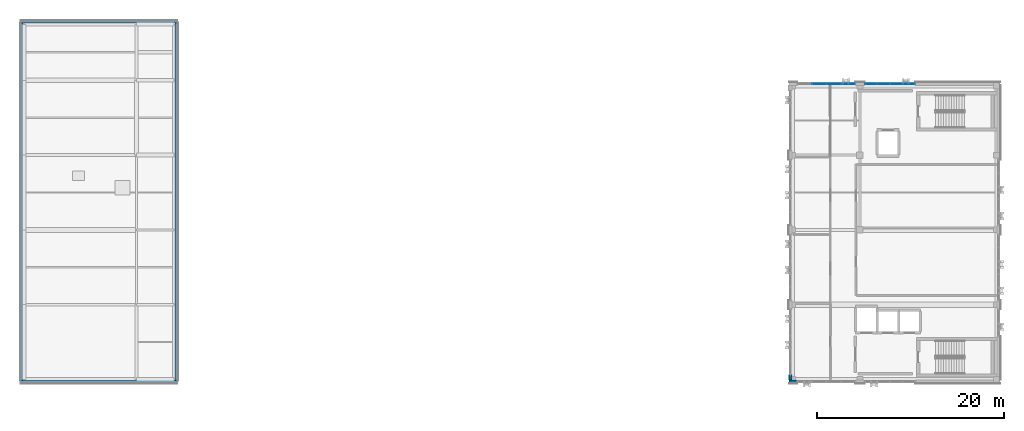
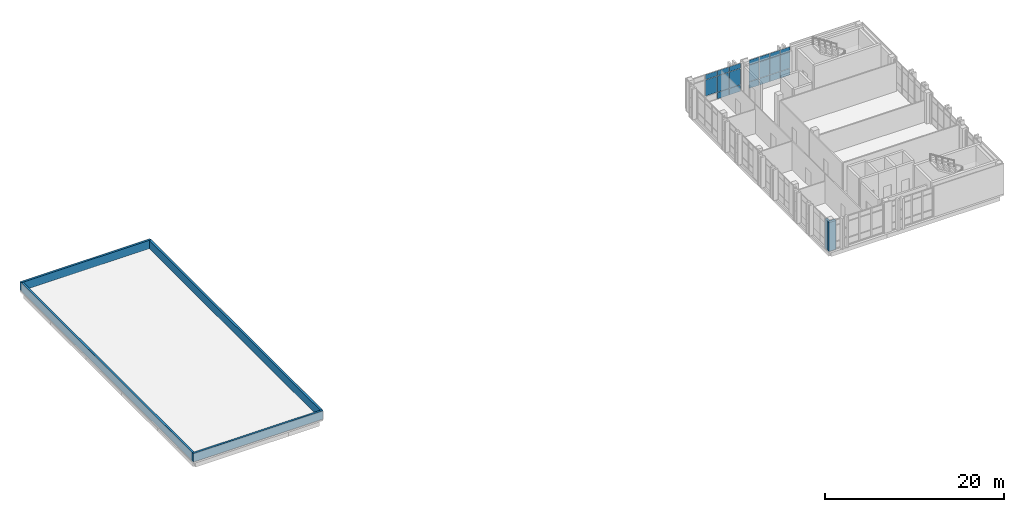
# One storey, part 16 of 22: 20 plates, 6 walls, 2 elements without a shape of their own.
"""IFC4 building model written with IfcOpenShell, lengths in metres."""

from ifc_helpers import new_model, si_unit, direction, frame, frame_2d, origin, origin_2d, place, context, subcontext, project, spatial, rectangle, extrude, material, layer, layer_set, type_object, element, aggregate, save


model = new_model("IFC4")

# Units and contexts
model_context = context("Model", 3, precision=1e-05, world=origin(), true_north=direction((0.0, 1.0)))
body_context = subcontext(model_context, "Body", "Model", "MODEL_VIEW")
ifc_project = project(units=[si_unit("LENGTHUNIT", "METRE"), si_unit("AREAUNIT", "SQUARE_METRE"), si_unit("VOLUMEUNIT", "CUBIC_METRE"), si_unit("PLANEANGLEUNIT", "RADIAN"), si_unit("MASSUNIT", "GRAM", prefix="KILO")], contexts=[model_context])

# Site, building, storey
site_placement = place(None, origin())
site = spatial("IfcSite", under=ifc_project, at=site_placement, CompositionType="ELEMENT")
building_placement = place(site_placement, origin())
building = spatial("IfcBuilding", under=site, at=building_placement, Name="Qalavern Law Courts", CompositionType="ELEMENT")
storey_placement = place(building_placement, frame((0.0, 0.0, 35.39990234375)))
storey = spatial("IfcBuildingStorey", under=building, at=storey_placement, Name="L08", CompositionType="ELEMENT", Elevation=35.39990234375)

# Curtain wall, plates
ifc_material_1 = material(Name="Anodised aluminium and insulated glazing", Category="aluminium")
ifc_layer_1 = layer(ifc_material_1, 0.159912109375)
ifc_layer_set_1 = layer_set([ifc_layer_1], Name="Anodised aluminium and insulated glazing")
curtain_wall_type = type_object("IfcCurtainWallType", Name="ENV-CW-CHAMB", PredefinedType="USERDEFINED", material=ifc_layer_set_1)
curtain_wall_1_placement = place(storey_placement, origin())
curtain_wall_1 = element("IfcCurtainWall", 1, at=curtain_wall_1_placement, inside=storey, type_object=curtain_wall_type, Name="V4 unitised curtain wall L08 north 1", ObjectType="UNITISED CURTAIN WALL", PredefinedType="USERDEFINED")
ifc_material_2 = material(Name="Insulated low-E acoustic glazing", Category="glass")
ifc_layer_2 = layer(ifc_material_2, 0.0400390625)
ifc_layer_set_2 = layer_set([ifc_layer_2], Name="Insulated low-E acoustic glazing")
plate_type_1 = type_object("IfcPlateType", Name="ENV-CWP-40", PredefinedType="CURTAIN_PANEL", material=ifc_layer_set_2)
plate_1_placement = place(storey_placement, frame((97.012939453125, 73.030029296875, 0.048095703125), z_axis=(0.0, 0.0, 1.0), x_axis=(-1.0, 0.0, 0.0)))
plate_1 = element("IfcPlate", 2, at=plate_1_placement, type_object=plate_type_1, Name="CW-04 panel 1.1", PredefinedType="CURTAIN_PANEL", context=body_context, shape_type="SweptSolid", body=[
    extrude(rectangle(XDim=1.278076171875, YDim=0.0400390625, at=origin_2d()), origin(), (0.0, 0.0, 1.0), 0.8779296875),
])
plate_2_placement = place(storey_placement, frame((97.012939453125, 73.030029296875, 0.97412109375), z_axis=(0.0, 0.0, 1.0), x_axis=(-1.0, 0.0, 0.0)))
plate_2 = element("IfcPlate", 3, at=plate_2_placement, type_object=plate_type_1, Name="CW-04 panel 1.2", PredefinedType="CURTAIN_PANEL", context=body_context, shape_type="SweptSolid", body=[
    extrude(rectangle(XDim=1.278076171875, YDim=0.0400390625, at=origin_2d()), origin(), (0.0, 0.0, 1.0), 2.197021484375),
])
plate_3_placement = place(storey_placement, frame((97.012939453125, 73.030029296875, 3.21923828125), z_axis=(0.0, 0.0, 1.0), x_axis=(-1.0, 0.0, 0.0)))
plate_3 = element("IfcPlate", 4, at=plate_3_placement, type_object=plate_type_1, Name="CW-04 panel 1.3", PredefinedType="CURTAIN_PANEL", context=body_context, shape_type="SweptSolid", body=[
    extrude(rectangle(XDim=1.278076171875, YDim=0.0400390625, at=origin_2d()), origin(), (0.0, 0.0, 1.0), 0.677978515625),
])
plate_4_placement = place(storey_placement, frame((95.675048828125, 73.030029296875, 0.048095703125), z_axis=(0.0, 0.0, 1.0), x_axis=(-1.0, 0.0, 0.0)))
plate_4 = element("IfcPlate", 5, at=plate_4_placement, type_object=plate_type_1, Name="CW-04 panel 2.1", PredefinedType="CURTAIN_PANEL", context=body_context, shape_type="SweptSolid", body=[
    extrude(rectangle(XDim=1.302001953125, YDim=0.0400390625, at=origin_2d()), origin(), (0.0, 0.0, 1.0), 0.8779296875),
])
plate_5_placement = place(storey_placement, frame((95.675048828125, 73.030029296875, 0.97412109375), z_axis=(0.0, 0.0, 1.0), x_axis=(-1.0, 0.0, 0.0)))
plate_5 = element("IfcPlate", 6, at=plate_5_placement, type_object=plate_type_1, Name="CW-04 panel 2.2", PredefinedType="CURTAIN_PANEL", context=body_context, shape_type="SweptSolid", body=[
    extrude(rectangle(XDim=1.302001953125, YDim=0.0400390625, at=origin_2d()), origin(), (0.0, 0.0, 1.0), 2.197021484375),
])
plate_6_placement = place(storey_placement, frame((95.675048828125, 73.030029296875, 3.21923828125), z_axis=(0.0, 0.0, 1.0), x_axis=(-1.0, 0.0, 0.0)))
plate_6 = element("IfcPlate", 7, at=plate_6_placement, type_object=plate_type_1, Name="CW-04 panel 2.3", PredefinedType="CURTAIN_PANEL", context=body_context, shape_type="SweptSolid", body=[
    extrude(rectangle(XDim=1.302001953125, YDim=0.0400390625, at=origin_2d()), origin(), (0.0, 0.0, 1.0), 0.677978515625),
])
plate_7_placement = place(storey_placement, frame((94.324951171875, 73.030029296875, 0.048095703125), z_axis=(0.0, 0.0, 1.0), x_axis=(-1.0, 0.0, 0.0)))
plate_7 = element("IfcPlate", 8, at=plate_7_placement, type_object=plate_type_1, Name="CW-04 panel 3.1", PredefinedType="CURTAIN_PANEL", context=body_context, shape_type="SweptSolid", body=[
    extrude(rectangle(XDim=1.302001953125, YDim=0.0400390625, at=origin_2d()), origin(), (0.0, 0.0, 1.0), 0.8779296875),
])
plate_8_placement = place(storey_placement, frame((94.324951171875, 73.030029296875, 0.97412109375), z_axis=(0.0, 0.0, 1.0), x_axis=(-1.0, 0.0, 0.0)))
plate_8 = element("IfcPlate", 9, at=plate_8_placement, type_object=plate_type_1, Name="CW-04 panel 3.2", PredefinedType="CURTAIN_PANEL", context=body_context, shape_type="SweptSolid", body=[
    extrude(rectangle(XDim=1.302001953125, YDim=0.0400390625, at=origin_2d()), origin(), (0.0, 0.0, 1.0), 2.197021484375),
])
plate_9_placement = place(storey_placement, frame((94.324951171875, 73.030029296875, 3.21923828125), z_axis=(0.0, 0.0, 1.0), x_axis=(-1.0, 0.0, 0.0)))
plate_9 = element("IfcPlate", 10, at=plate_9_placement, type_object=plate_type_1, Name="CW-04 panel 3.3", PredefinedType="CURTAIN_PANEL", context=body_context, shape_type="SweptSolid", body=[
    extrude(rectangle(XDim=1.302001953125, YDim=0.0400390625, at=origin_2d()), origin(), (0.0, 0.0, 1.0), 0.677978515625),
])
plate_10_placement = place(storey_placement, frame((92.987060546875, 73.030029296875, 0.048095703125), z_axis=(0.0, 0.0, 1.0), x_axis=(-1.0, 0.0, 0.0)))
plate_10 = element("IfcPlate", 11, at=plate_10_placement, type_object=plate_type_1, Name="CW-04 panel 4.1", PredefinedType="CURTAIN_PANEL", context=body_context, shape_type="SweptSolid", body=[
    extrude(rectangle(XDim=1.278076171875, YDim=0.0400390625, at=origin_2d()), origin(), (0.0, 0.0, 1.0), 0.8779296875),
])
plate_11_placement = place(storey_placement, frame((92.987060546875, 73.030029296875, 0.97412109375), z_axis=(0.0, 0.0, 1.0), x_axis=(-1.0, 0.0, 0.0)))
plate_11 = element("IfcPlate", 12, at=plate_11_placement, type_object=plate_type_1, Name="CW-04 panel 4.2", PredefinedType="CURTAIN_PANEL", context=body_context, shape_type="SweptSolid", body=[
    extrude(rectangle(XDim=1.278076171875, YDim=0.0400390625, at=origin_2d()), origin(), (0.0, 0.0, 1.0), 2.197021484375),
])
plate_12_placement = place(storey_placement, frame((92.987060546875, 73.030029296875, 3.21923828125), z_axis=(0.0, 0.0, 1.0), x_axis=(-1.0, 0.0, 0.0)))
plate_12 = element("IfcPlate", 13, at=plate_12_placement, type_object=plate_type_1, Name="CW-04 panel 4.3", PredefinedType="CURTAIN_PANEL", context=body_context, shape_type="SweptSolid", body=[
    extrude(rectangle(XDim=1.278076171875, YDim=0.0400390625, at=origin_2d()), origin(), (0.0, 0.0, 1.0), 0.677978515625),
])
aggregate(curtain_wall_1, [plate_1, plate_2, plate_3, plate_4, plate_5, plate_6, plate_7, plate_8, plate_9, plate_10, plate_11, plate_12])

curtain_wall_2_placement = place(storey_placement, origin())
curtain_wall_2 = element("IfcCurtainWall", 14, at=curtain_wall_2_placement, inside=storey, type_object=curtain_wall_type, Name="V4 unitised curtain wall L08 north 2", ObjectType="UNITISED CURTAIN WALL", PredefinedType="USERDEFINED")
ifc_layer_3 = layer(ifc_material_2, 0.0439453125)
ifc_layer_set_3 = layer_set([ifc_layer_3], Name="Insulated low-E acoustic glazing")
plate_type_2 = type_object("IfcPlateType", Name="ENV-CWP-44", PredefinedType="CURTAIN_PANEL", material=ifc_layer_set_3)
plate_13_placement = place(storey_placement, frame((90.512939453125, 73.030029296875, 0.048095703125), z_axis=(0.0, 0.0, 1.0), x_axis=(-1.0, 0.0, 0.0)))
plate_13 = element("IfcPlate", 15, at=plate_13_placement, type_object=plate_type_2, Name="CW-04 panel 1.1", PredefinedType="CURTAIN_PANEL", context=body_context, shape_type="SweptSolid", body=[
    extrude(rectangle(XDim=1.47802734375, YDim=0.0439453125, at=origin_2d()), origin(), (0.0, 0.0, 1.0), 0.8779296875),
])
plate_14_placement = place(storey_placement, frame((90.512939453125, 73.030029296875, 0.97412109375), z_axis=(0.0, 0.0, 1.0), x_axis=(-1.0, 0.0, 0.0)))
plate_14 = element("IfcPlate", 16, at=plate_14_placement, type_object=plate_type_2, Name="CW-04 panel 1.2", PredefinedType="CURTAIN_PANEL", context=body_context, shape_type="SweptSolid", body=[
    extrude(rectangle(XDim=1.47802734375, YDim=0.0439453125, at=origin_2d()), origin(), (0.0, 0.0, 1.0), 2.197021484375),
])
plate_15_placement = place(storey_placement, frame((90.512939453125, 73.030029296875, 3.21923828125), z_axis=(0.0, 0.0, 1.0), x_axis=(-1.0, 0.0, 0.0)))
plate_15 = element("IfcPlate", 17, at=plate_15_placement, type_object=plate_type_2, Name="CW-04 panel 1.3", PredefinedType="CURTAIN_PANEL", context=body_context, shape_type="SweptSolid", body=[
    extrude(rectangle(XDim=1.47802734375, YDim=0.0439453125, at=origin_2d()), origin(), (0.0, 0.0, 1.0), 0.677978515625),
])
plate_16_placement = place(storey_placement, frame((88.97509765625, 73.030029296875, 0.048095703125), z_axis=(0.0, 0.0, 1.0), x_axis=(-1.0, 0.0, 0.0)))
plate_16 = element("IfcPlate", 18, at=plate_16_placement, type_object=plate_type_2, Name="CW-04 panel 2.1", PredefinedType="CURTAIN_PANEL", context=body_context, shape_type="SweptSolid", body=[
    extrude(rectangle(XDim=1.501953125, YDim=0.0439453125, at=origin_2d()), origin(), (0.0, 0.0, 1.0), 0.8779296875),
])
plate_17_placement = place(storey_placement, frame((88.97509765625, 73.030029296875, 0.97412109375), z_axis=(0.0, 0.0, 1.0), x_axis=(-1.0, 0.0, 0.0)))
plate_17 = element("IfcPlate", 19, at=plate_17_placement, type_object=plate_type_2, Name="CW-04 panel 2.2", PredefinedType="CURTAIN_PANEL", context=body_context, shape_type="SweptSolid", body=[
    extrude(rectangle(XDim=1.501953125, YDim=0.0439453125, at=origin_2d()), origin(), (0.0, 0.0, 1.0), 2.197021484375),
])
plate_18_placement = place(storey_placement, frame((88.97509765625, 73.030029296875, 3.21923828125), z_axis=(0.0, 0.0, 1.0), x_axis=(-1.0, 0.0, 0.0)))
plate_18 = element("IfcPlate", 20, at=plate_18_placement, type_object=plate_type_2, Name="CW-04 panel 2.3", PredefinedType="CURTAIN_PANEL", context=body_context, shape_type="SweptSolid", body=[
    extrude(rectangle(XDim=1.501953125, YDim=0.0439453125, at=origin_2d()), origin(), (0.0, 0.0, 1.0), 0.677978515625),
])
plate_19_placement = place(storey_placement, frame((87.425048828125, 73.030029296875, 0.97412109375), z_axis=(0.0, 0.0, 1.0), x_axis=(-1.0, 0.0, 0.0)))
plate_19 = element("IfcPlate", 21, at=plate_19_placement, type_object=plate_type_2, Name="CW-04 panel 3.2", PredefinedType="CURTAIN_PANEL", context=body_context, shape_type="SweptSolid", body=[
    extrude(rectangle(XDim=1.501953125, YDim=0.0439453125, at=origin_2d()), origin(), (0.0, 0.0, 1.0), 2.197021484375),
])
plate_20_placement = place(storey_placement, frame((87.425048828125, 73.030029296875, 3.21923828125), z_axis=(0.0, 0.0, 1.0), x_axis=(-1.0, 0.0, 0.0)))
plate_20 = element("IfcPlate", 22, at=plate_20_placement, type_object=plate_type_2, Name="CW-04 panel 3.3", PredefinedType="CURTAIN_PANEL", context=body_context, shape_type="SweptSolid", body=[
    extrude(rectangle(XDim=1.501953125, YDim=0.0439453125, at=origin_2d()), origin(), (0.0, 0.0, 1.0), 0.677978515625),
])
aggregate(curtain_wall_2, [plate_13, plate_14, plate_15, plate_16, plate_17, plate_18, plate_19, plate_20])

# Walls
ifc_material_3 = material(Name="Concrete C40/50", Category="concrete")
ifc_layer_4 = layer(ifc_material_3, 0.340087890625)
ifc_layer_set_4 = layer_set([ifc_layer_4], Name="Concrete C40/50")
wall_type_1 = type_object("IfcWallType", Name="ENV-EW-340", PredefinedType="SOLIDWALL", material=ifc_layer_set_4)
wall_1_placement = place(storey_placement, frame((84.199951171875, 41.18994140625, 0.0), z_axis=(0.0, 0.0, 1.0), x_axis=(1.0, 0.0, 0.0)))
element("IfcWall", 23, at=wall_1_placement, inside=storey, type_object=wall_type_1, Name="V4 exterior pier wall L08 south 1", PredefinedType="SOLIDWALL", context=body_context, shape_type="SweptSolid", body=[
    extrude(rectangle(XDim=0.900146484375, YDim=0.340087890625, at=frame_2d((0.4501953125, 0.0))), origin(), (0.0, 0.0, 1.0), 3.945068359375),
])
wall_2_placement = place(storey_placement, frame((84.3701171875, 41.919921875, 0.0), z_axis=(0.0, 0.0, 1.0), x_axis=(0.0, -1.0, 0.0)))
element("IfcWall", 24, at=wall_2_placement, inside=storey, type_object=wall_type_1, Name="V4 exterior pier wall L08 west 5", PredefinedType="SOLIDWALL", context=body_context, shape_type="SweptSolid", body=[
    extrude(rectangle(XDim=0.56494140625, YDim=0.340087890625, at=frame_2d((0.282470703125, 0.0))), origin(), (0.0, 0.0, 1.0), 3.945068359375),
])
ifc_layer_5 = layer(ifc_material_3, 0.25)
ifc_layer_set_5 = layer_set([ifc_layer_5], Name="Concrete C40/50")
wall_type_2 = type_object("IfcWallType", Name="ENV-PAR-250", PredefinedType="PARAPET", material=ifc_layer_set_5)
wall_3_placement = place(storey_placement, frame((2.0, 41.14501953125, 0.0), z_axis=(0.0, 0.0, 1.0), x_axis=(1.0, 0.0, 0.0)))
element("IfcWall", 25, at=wall_3_placement, inside=storey, type_object=wall_type_2, Name="V3 roof parapet L08 S", PredefinedType="PARAPET", context=body_context, shape_type="SweptSolid", body=[
    extrude(rectangle(XDim=16.800048828125, YDim=0.25, at=frame_2d((8.39990234375, 0.0))), origin(), (0.0, 0.0, 1.0), 1.150146484375),
])
wall_4_placement = place(storey_placement, frame((18.675048828125, 41.27001953125, 0.0), z_axis=(0.0, 0.0, 1.0), x_axis=(0.0, 1.0, 0.0)))
element("IfcWall", 26, at=wall_4_placement, inside=storey, type_object=wall_type_2, Name="V3 roof parapet L08 E", PredefinedType="PARAPET", context=body_context, shape_type="SweptSolid", body=[
    extrude(rectangle(XDim=38.280029296875, YDim=0.25, at=frame_2d((19.14013671875, 0.0))), origin(), (0.0, 0.0, 1.0), 1.150146484375),
])
wall_5_placement = place(storey_placement, frame((18.800048828125, 79.675048828125, 0.0), z_axis=(0.0, 0.0, 1.0), x_axis=(-1.0, 0.0, 0.0)))
element("IfcWall", 27, at=wall_5_placement, inside=storey, type_object=wall_type_2, Name="V3 roof parapet L08 N", PredefinedType="PARAPET", context=body_context, shape_type="SweptSolid", body=[
    extrude(rectangle(XDim=16.800048828125, YDim=0.25, at=frame_2d((8.39990234375, 0.0))), origin(), (0.0, 0.0, 1.0), 1.150146484375),
])
wall_6_placement = place(storey_placement, frame((2.125, 79.550048828125, 0.0), z_axis=(0.0, 0.0, 1.0), x_axis=(0.0, -1.0, 0.0)))
element("IfcWall", 28, at=wall_6_placement, inside=storey, type_object=wall_type_2, Name="V3 roof parapet L08 W", PredefinedType="PARAPET", context=body_context, shape_type="SweptSolid", body=[
    extrude(rectangle(XDim=38.280029296875, YDim=0.25, at=frame_2d((19.14013671875, 0.0))), origin(), (0.0, 0.0, 1.0), 1.150146484375),
])

save(model, "model.ifc")
